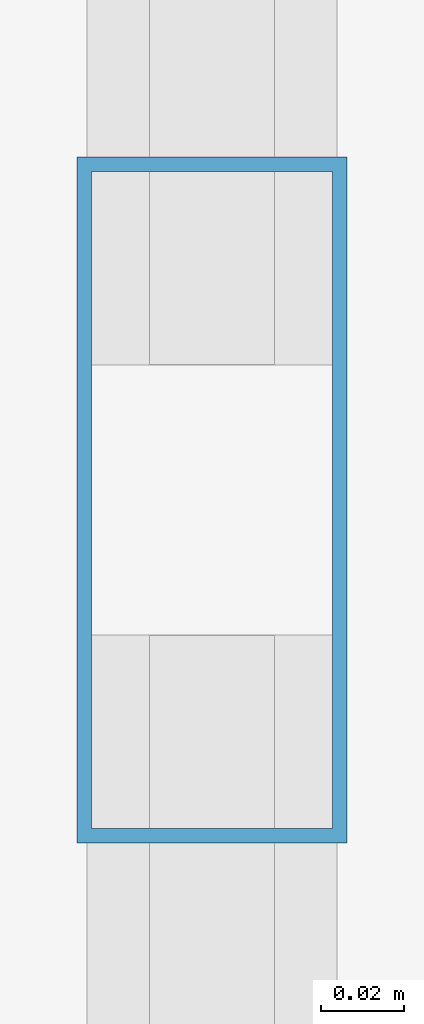
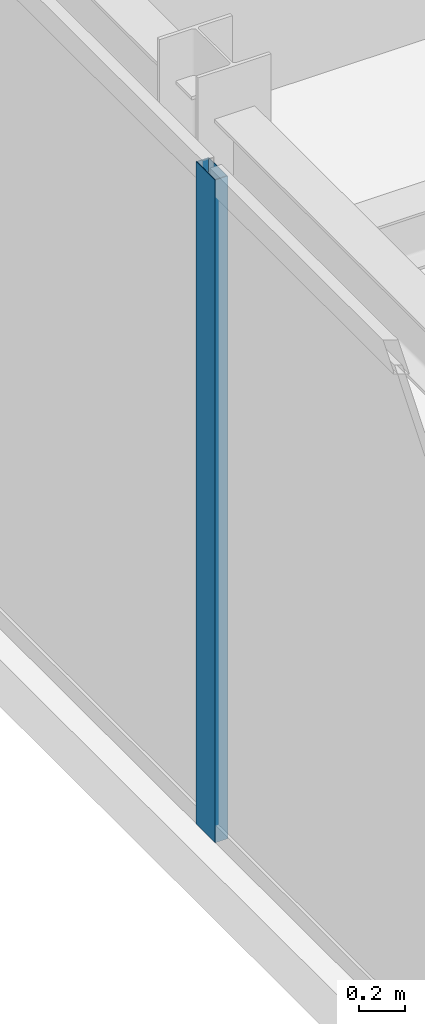
# One storey, part 10 of 27: 1 member, 1 element without a shape of its own.
"""IFC4 building model written with IfcOpenShell, lengths in metres."""

from ifc_helpers import new_model, si_unit, direction, frame, origin, origin_2d, place, context, subcontext, project, spatial, hollow_rectangle, extrude, source, transform, mapped, material, layer, layer_set, material_profile, profile_set, type_object, type_shapes, element, aggregate, save


model = new_model("IFC4")

# Units and contexts
model_context = context("Model", 3, precision=1e-05, world=origin(), true_north=direction((0.0, 1.0)))
body_context = subcontext(model_context, "Body", "Model", "MODEL_VIEW")
ifc_project = project(units=[si_unit("LENGTHUNIT", "METRE"), si_unit("AREAUNIT", "SQUARE_METRE"), si_unit("VOLUMEUNIT", "CUBIC_METRE"), si_unit("PLANEANGLEUNIT", "RADIAN"), si_unit("MASSUNIT", "GRAM", prefix="KILO")], contexts=[model_context])

# Site, building, storey
site_placement = place(None, origin())
site = spatial("IfcSite", under=ifc_project, at=site_placement, CompositionType="ELEMENT")
building_placement = place(site_placement, origin())
building = spatial("IfcBuilding", under=site, at=building_placement, Name="Varnel Quay Broadcast Tower", CompositionType="ELEMENT")
storey_placement = place(building_placement, frame((0.0, 0.0, 243.199951171875)))
storey = spatial("IfcBuildingStorey", under=building, at=storey_placement, Name="L60", CompositionType="ELEMENT", Elevation=243.199951171875)

# Curtain wall, member
ifc_material = material(Name="Anodised Bronze Aluminium 6063-T6", Category="aluminium")
ifc_layer = layer(ifc_material, 0.18994140625, Name="Anodised Bronze Aluminium 6063-T6")
ifc_layer_set = layer_set([ifc_layer], Name="Anodised Bronze Aluminium 6063-T6")
curtain_wall_type = type_object("IfcCurtainWallType", Name="CW_UpperTower", PredefinedType="NOTDEFINED", material=ifc_layer_set)
curtain_wall_placement = place(storey_placement, origin())
curtain_wall = element("IfcCurtainWall", 1, at=curtain_wall_placement, inside=storey, type_object=curtain_wall_type, Name="L60 West Unitised Curtain Wall", PredefinedType="NOTDEFINED")
ifc_material_profile = material_profile(ifc_material, hollow_rectangle(XDim=0.06494140625, YDim=0.1650390625, WallThickness=0.00341796875, at=origin_2d()), Name="ALU65X165X3.5")
ifc_profile_set = profile_set([ifc_material_profile], Name="Anodised Bronze Aluminium 6063-T6")
member_type = type_object("IfcMemberType", Name="Mull_CWS-03", PredefinedType="MULLION", material=ifc_profile_set)
shared_shape = source(origin(), body_context, "Body", "SweptSolid", [
    extrude(hollow_rectangle(XDim=0.06494140625, YDim=0.1650390625, WallThickness=0.00341796875, at=origin_2d()), origin(), (0.0, 0.0, 1.0), 3.550048828125),
])
type_shapes(member_type, [shared_shape])
member_placement = place(storey_placement, frame((9.64990234375, 28.5, 0.0), z_axis=(0.0, 0.0, 1.0), x_axis=(-1.0, 0.0, 0.0)))
member = element("IfcMember", 2, at=member_placement, type_object=member_type, Name="CWS-03 mullion 2", PredefinedType="MULLION", context=body_context, shape_type="MappedRepresentation", body=[
    mapped(shared_shape, transform((0.0, 0.0, 0.0), x_axis=(1.0, 0.0, 0.0), y_axis=(0.0, 1.0, 0.0), z_axis=(0.0, 0.0, 1.0), scale=1.0)),
])
aggregate(curtain_wall, [member])

save(model, "model.ifc")
